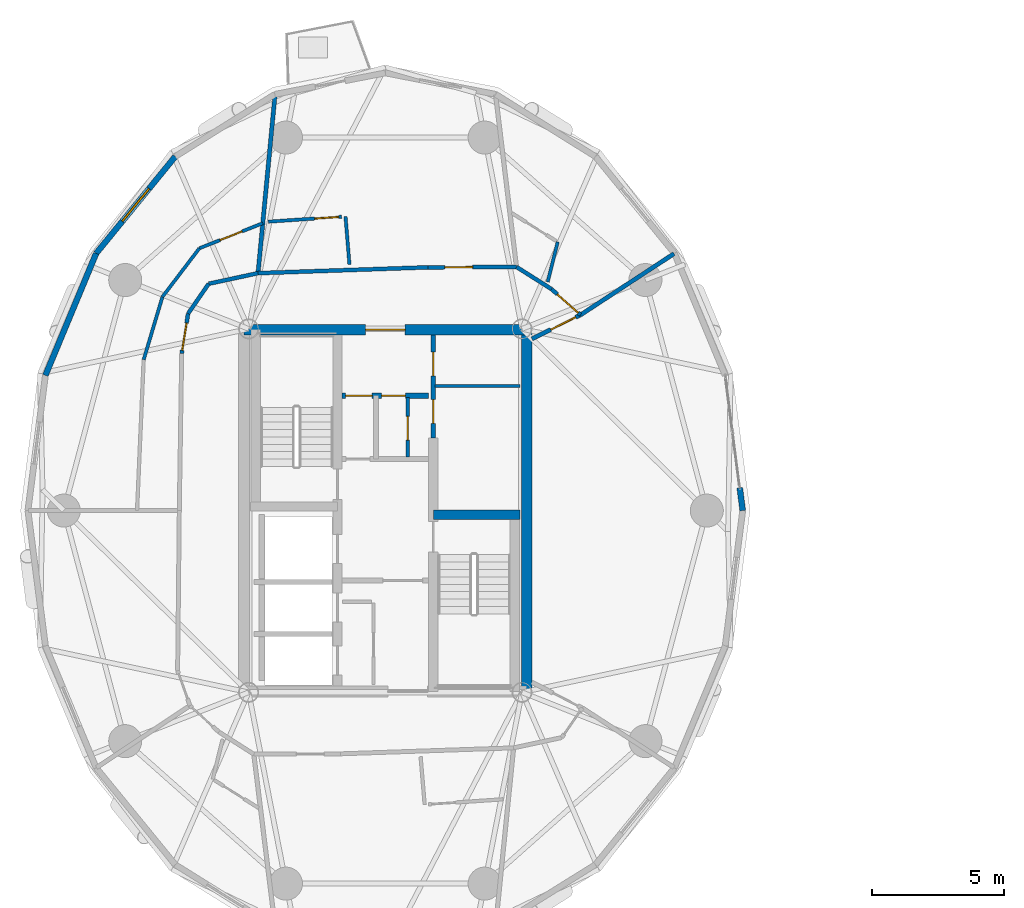
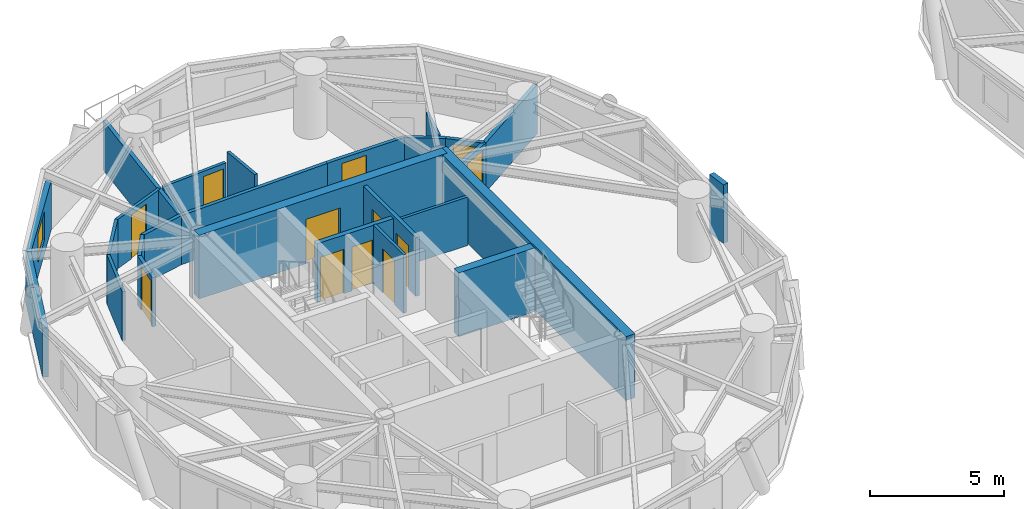
# One storey, part 9 of 16: 26 walls, 12 doors, 1 window, 13 openings.
"""IFC4 building model written with IfcOpenShell, lengths in metres."""

from ifc_helpers import new_model, si_unit, direction, frame, frame_2d, origin, place, context, subcontext, project, spatial, rectangle, extrude, source, transform, mapped, material, layer, layer_set, type_object, element, fill, save


model = new_model("IFC4")

# Units and contexts
model_context = context("Model", 3, precision=1e-05, world=origin(), true_north=direction((0.0, 1.0)))
body_context = subcontext(model_context, "Body", "Model", "MODEL_VIEW")
ifc_project = project(units=[si_unit("LENGTHUNIT", "METRE"), si_unit("AREAUNIT", "SQUARE_METRE"), si_unit("VOLUMEUNIT", "CUBIC_METRE"), si_unit("PLANEANGLEUNIT", "RADIAN"), si_unit("MASSUNIT", "GRAM", prefix="KILO")], contexts=[model_context])

# Site, building, storey
site_placement = place(None, origin())
site = spatial("IfcSite", under=ifc_project, at=site_placement, CompositionType="ELEMENT")
building_placement = place(site_placement, origin())
building = spatial("IfcBuilding", under=site, at=building_placement, Name="Cununo Teusaquillo Station Towers", CompositionType="ELEMENT")
storey_placement = place(building_placement, frame((0.0, 0.0, 180.699951171875)))
storey = spatial("IfcBuildingStorey", under=building, at=storey_placement, Name="L57", CompositionType="ELEMENT", Elevation=180.699951171875)

# Walls
ifc_material_1 = material(Name="Concrete C50/60", Category="concrete")
ifc_layer_1 = layer(ifc_material_1, 0.35009765625)
ifc_layer_set_1 = layer_set([ifc_layer_1], Name="Concrete C50/60")
wall_type_1 = type_object("IfcWallType", Name="WL-CORE-350", PredefinedType="SHEAR", material=ifc_layer_set_1)
wall_1_placement = place(storey_placement, frame((18.31494140625, 24.344970703125, 0.0), z_axis=(0.0, 0.0, 1.0), x_axis=(1.0, 0.0, 0.0)))
element("IfcWall", 1, at=wall_1_placement, inside=storey, type_object=wall_type_1, Name="L57 Tower A Core Shear Wall ST2N", PredefinedType="SHEAR", context=body_context, shape_type="SweptSolid", body=[
    extrude(rectangle(XDim=3.28515625, YDim=0.35009765625, at=frame_2d((1.642578125, 0.0))), origin(), (0.0, 0.0, 1.0), 2.91015625),
])
ifc_material_2 = material(Name="Concrete C50/60", Category="concrete")
ifc_layer_2 = layer(ifc_material_2, 0.39990234375)
ifc_layer_set_2 = layer_set([ifc_layer_2], Name="Concrete C50/60")
wall_type_2 = type_object("IfcWallType", Name="WL-CORE-400", PredefinedType="SHEAR", material=ifc_layer_set_2)
wall_2_placement = place(storey_placement, frame((21.85009765625, 17.449951171875, 0.0), z_axis=(0.0, 0.0, 1.0), x_axis=(0.0, 1.0, 0.0)))
element("IfcWall", 2, at=wall_2_placement, inside=storey, type_object=wall_type_2, Name="L57 Tower A Core Shear Wall E", PredefinedType="SHEAR", context=body_context, shape_type="SweptSolid", body=[
    extrude(rectangle(XDim=14.10009765625, YDim=0.39990234375, at=frame_2d((7.050048828125, 0.0))), origin(), (0.0, 0.0, 1.0), 2.91015625),
])

# Wall, opening, door
wall_3_placement = place(storey_placement, frame((11.14990234375, 31.35009765625, 0.0), z_axis=(0.0, 0.0, 1.0), x_axis=(1.0, 0.0, 0.0)))
wall_3 = element("IfcWall", 3, at=wall_3_placement, inside=storey, type_object=wall_type_2, Name="L57 Tower A Core Shear Wall N", PredefinedType="SHEAR", context=body_context, shape_type="SweptSolid", body=[
    extrude(rectangle(XDim=10.7001953125, YDim=0.39990234375, at=frame_2d((5.35009765625, 0.0))), origin(), (0.0, 0.0, 1.0), 2.91015625),
])
shared_shape_1 = source(origin(), body_context, "Body", "SweptSolid", [
    extrude(rectangle(XDim=1.5, YDim=2.02001953125, at=frame_2d((0.75, 1.010009765625))), frame((0.0, 0.2099609375, 0.0), z_axis=(0.0, -1.0, 0.0), x_axis=(1.0, 0.0, 0.0)), (0.0, 0.0, 1.0), 0.419921875),
])
opening_1_placement = place(wall_3_placement, frame((4.60009765625, 0.0, 0.0)))
opening_1 = element("IfcOpeningElement", 4, at=opening_1_placement, cuts=wall_3, Name="Opening D-LB1", PredefinedType="OPENING", context=body_context, shape_type="MappedRepresentation", body=[
    mapped(shared_shape_1, transform((0.0, 0.0, 0.0), x_axis=(1.0, 0.0, 0.0), y_axis=(0.0, 1.0, 0.0), z_axis=(0.0, 0.0, 1.0), scale=1.0)),
])
ifc_material_3 = material(Name="Galvanised fire-rated hollow steel door assembly", Category="steel")
door_type_1 = type_object("IfcDoorType", Name="DR-LOBBY-1500", OperationType="DOUBLE_DOOR_SINGLE_SWING", PredefinedType="DOOR", material=ifc_material_3)
shared_shape_2 = source(origin(), body_context, "Body", "SweptSolid", [
    extrude(rectangle(XDim=1.5, YDim=2.02001953125, at=frame_2d((0.75, 1.010009765625))), frame((0.0, 0.02490234375, 0.0), z_axis=(0.0, -1.0, 0.0), x_axis=(1.0, 0.0, 0.0)), (0.0, 0.0, 1.0), 0.050048828125),
])
door_1_placement = place(opening_1_placement, origin())
door_1 = element("IfcDoor", 5, at=door_1_placement, inside=storey, type_object=door_type_1, Name="L57 Tower A North Core Lift Lobby Door", OperationType="DOUBLE_DOOR_SINGLE_SWING", OverallHeight=2.02001953125, OverallWidth=1.5, PredefinedType="DOOR", context=body_context, shape_type="MappedRepresentation", body=[
    mapped(shared_shape_2, transform((0.0, 0.0, 0.0), x_axis=(1.0, 0.0, 0.0), y_axis=(0.0, 1.0, 0.0), z_axis=(0.0, 0.0, 1.0), scale=1.0)),
])
fill(opening_1, door_1)

# Wall
ifc_material_4 = material(Name="Precast concrete C40/50", Category="concrete")
ifc_layer_3 = layer(ifc_material_4, 0.219970703125)
ifc_layer_set_3 = layer_set([ifc_layer_3], Name="Precast concrete C40/50")
wall_type_3 = type_object("IfcWallType", Name="WL-EXT-220", PredefinedType="SOLIDWALL", material=ifc_layer_set_3)
wall_4_placement = place(storey_placement, frame((29.91943359375, 25.36279296875, 0.0), z_axis=(0.0, 0.0, 1.0), x_axis=(0.128247365719, -0.991742211054, 0.0)))
element("IfcWall", 6, at=wall_4_placement, inside=storey, type_object=wall_type_3, Name="L57 Tower A Column Pier Cladding Wall C00-PB", PredefinedType="SOLIDWALL", context=body_context, shape_type="SweptSolid", body=[
    extrude(rectangle(XDim=0.869873046875, YDim=0.219970703125, at=frame_2d((0.43505859375, 0.0))), origin(), (0.0, 0.0, 1.0), 2.675048828125),
])

# Wall, opening, window
wall_5_placement = place(storey_placement, frame((5.55322265625, 34.239501953125, 0.0), z_axis=(0.0, 0.0, 1.0), x_axis=(0.632470615287, 0.774584353572, 0.0)))
wall_5 = element("IfcWall", 7, at=wall_5_placement, inside=storey, type_object=wall_type_3, Name="L57 Tower A Exterior Facade Wall C07", PredefinedType="SOLIDWALL", context=body_context, shape_type="SweptSolid", body=[
    extrude(rectangle(XDim=4.73291015625, YDim=0.219970703125, at=frame_2d((2.366455078125, 0.0))), origin(), (0.0, 0.0, 1.0), 2.2451171875),
])
shared_shape_3 = source(origin(), body_context, "Body", "SweptSolid", [
    extrude(rectangle(XDim=1.60009765625, YDim=1.300048828125, at=frame_2d((0.800048828125, 0.64990234375))), frame((0.0, 0.119873046875, 0.0), z_axis=(0.0, -1.0, 0.0), x_axis=(1.0, 0.0, 0.0)), (0.0, 0.0, 1.0), 0.239990234375),
])
opening_2_placement = place(wall_5_placement, frame((1.56591796875, 0.0, 0.64990234375)))
opening_2 = element("IfcOpeningElement", 8, at=opening_2_placement, cuts=wall_5, Name="Opening WN-03", PredefinedType="OPENING", context=body_context, shape_type="MappedRepresentation", body=[
    mapped(shared_shape_3, transform((0.0, 0.0, 0.0), x_axis=(1.0, 0.0, 0.0), y_axis=(0.0, 1.0, 0.0), z_axis=(0.0, 0.0, 1.0), scale=1.0)),
])
ifc_material_5 = material(Name="Ceramic-fritted dark low-E double glazing", Category="glass")
window_type = type_object("IfcWindowType", Name="WIN-CORN-1600", PartitioningType="SINGLE_PANEL", PredefinedType="WINDOW", material=ifc_material_5)
shared_shape_4 = source(origin(), body_context, "Body", "SweptSolid", [
    extrude(rectangle(XDim=1.60009765625, YDim=1.300048828125, at=frame_2d((0.800048828125, 0.64990234375))), frame((0.0, 0.030029296875, 0.0), z_axis=(0.0, -1.0, 0.0), x_axis=(1.0, 0.0, 0.0)), (0.0, 0.0, 1.0), 0.06005859375),
])
window_placement = place(opening_2_placement, origin())
window = element("IfcWindow", 9, at=window_placement, inside=storey, type_object=window_type, Name="L57 Tower A Facade Window C07", OverallHeight=1.300048828125, OverallWidth=1.60009765625, PartitioningType="SINGLE_PANEL", PredefinedType="WINDOW", context=body_context, shape_type="MappedRepresentation", body=[
    mapped(shared_shape_4, transform((0.0, 0.0, 0.0), x_axis=(1.0, 0.0, 0.0), y_axis=(0.0, 1.0, 0.0), z_axis=(0.0, 0.0, 1.0), scale=1.0)),
])
fill(opening_2, window)

# Wall
wall_6_placement = place(storey_placement, frame((3.63134765625, 29.620361328125, 0.0), z_axis=(0.0, 0.0, 1.0), x_axis=(0.384144094086, 0.923273152961, 0.0)))
element("IfcWall", 10, at=wall_6_placement, inside=storey, type_object=wall_type_3, Name="L57 Tower A Exterior Facade Wall C08", PredefinedType="SOLIDWALL", context=body_context, shape_type="SweptSolid", body=[
    extrude(rectangle(XDim=5.0029296875, YDim=0.219970703125, at=frame_2d((2.50146484375, 0.0))), origin(), (0.0, 0.0, 1.0), 2.2451171875),
])

# Wall, opening, door
ifc_material_6 = material(Name="Fire-rated gypsum plasterboard partition assembly", Category="gypsum")
ifc_layer_4 = layer(ifc_material_6, 0.125)
ifc_layer_set_4 = layer_set([ifc_layer_4], Name="Fire-rated gypsum plasterboard partition assembly")
wall_type_4 = type_object("IfcWallType", Name="WL-PART-125", PredefinedType="PARTITIONING", material=ifc_layer_set_4)
wall_7_placement = place(storey_placement, frame((17.35009765625, 26.52001953125, 0.0), z_axis=(0.0, 0.0, 1.0), x_axis=(0.0, 1.0, 0.0)))
wall_7 = element("IfcWall", 11, at=wall_7_placement, inside=storey, type_object=wall_type_4, Name="L57 Tower A Core Vertical Split Wall", PredefinedType="PARTITIONING", context=body_context, shape_type="SweptSolid", body=[
    extrude(rectangle(XDim=2.260009765625, YDim=0.125, at=frame_2d((1.1298828125, 0.0))), origin(), (0.0, 0.0, 1.0), 2.675048828125),
])
shared_shape_5 = source(origin(), body_context, "Body", "SweptSolid", [
    extrude(rectangle(XDim=0.89990234375, YDim=2.0048828125, at=frame_2d((0.449951171875, 1.00244140625))), frame((0.0, 0.072509765625, 0.0), z_axis=(0.0, -1.0, 0.0), x_axis=(1.0, 0.0, 0.0)), (0.0, 0.0, 1.0), 0.14501953125),
])
opening_3_placement = place(wall_7_placement, frame((0.64990234375, 0.0, 0.0)))
opening_3 = element("IfcOpeningElement", 12, at=opening_3_placement, cuts=wall_7, Name="Opening D-SR1", PredefinedType="OPENING", context=body_context, shape_type="MappedRepresentation", body=[
    mapped(shared_shape_5, transform((0.0, 0.0, 0.0), x_axis=(1.0, 0.0, 0.0), y_axis=(0.0, 1.0, 0.0), z_axis=(0.0, 0.0, 1.0), scale=1.0)),
])
ifc_material_7 = material(Name="Galvanised fire-rated hollow steel door assembly", Category="steel")
door_type_2 = type_object("IfcDoorType", Name="DR-STORE-900", OperationType="NOTDEFINED", PredefinedType="DOOR", material=ifc_material_7)
shared_shape_6 = source(origin(), body_context, "Body", "SweptSolid", [
    extrude(rectangle(XDim=0.89990234375, YDim=2.0048828125, at=frame_2d((0.449951171875, 1.00244140625))), frame((0.0, 0.02490234375, 0.0), z_axis=(0.0, -1.0, 0.0), x_axis=(1.0, 0.0, 0.0)), (0.0, 0.0, 1.0), 0.050048828125),
])
door_2_placement = place(opening_3_placement, origin())
door_2 = element("IfcDoor", 13, at=door_2_placement, inside=storey, type_object=door_type_2, Name="L57 Tower A Core Electrical Room Door", OperationType="SINGLE_SWING_RIGHT", OverallHeight=2.0048828125, OverallWidth=0.89990234375, PredefinedType="DOOR", context=body_context, shape_type="MappedRepresentation", body=[
    mapped(shared_shape_6, transform((0.0, 0.0, 0.0), x_axis=(1.0, 0.0, 0.0), y_axis=(0.0, 1.0, 0.0), z_axis=(0.0, 0.0, 1.0), scale=1.0)),
])
fill(opening_3, door_2)

# Walls
wall_8_placement = place(storey_placement, frame((18.3798828125, 29.219970703125, 0.0), z_axis=(0.0, 0.0, 1.0), x_axis=(1.0, 0.0, 0.0)))
element("IfcWall", 14, at=wall_8_placement, inside=storey, type_object=wall_type_4, Name="L57 Tower A Reclaimed Bay Divider Wall", PredefinedType="PARTITIONING", context=body_context, shape_type="SweptSolid", body=[
    extrude(rectangle(XDim=3.22021484375, YDim=0.125, at=frame_2d((1.610107421875, 0.0))), origin(), (0.0, 0.0, 1.0), 2.212158203125),
])
wall_9_placement = place(storey_placement, frame((22.6494140625, 33.1572265625, 0.0), z_axis=(0.0, 0.0, 1.0), x_axis=(0.242461964074, 0.970160912415, 0.0)))
element("IfcWall", 15, at=wall_9_placement, inside=storey, type_object=wall_type_4, Name="L57 Tower A S01 En-suite Side Wall", PredefinedType="PARTITIONING", context=body_context, shape_type="SweptSolid", body=[
    extrude(rectangle(XDim=1.559814453125, YDim=0.125, at=frame_2d((0.77978515625, 0.0))), origin(), (0.0, 0.0, 1.0), 2.2451171875),
])
wall_10_placement = place(storey_placement, frame((15.14208984375, 33.8203125, 0.0), z_axis=(0.0, 0.0, 1.0), x_axis=(-0.081791493646, 0.996649462734, 0.0)))
element("IfcWall", 16, at=wall_10_placement, inside=storey, type_object=wall_type_4, Name="L57 Tower A S02 En-suite Side Wall", PredefinedType="PARTITIONING", context=body_context, shape_type="SweptSolid", body=[
    extrude(rectangle(XDim=1.82080078125, YDim=0.125, at=frame_2d((0.910400390625, 0.0))), origin(), (0.0, 0.0, 1.0), 2.675048828125),
])

# Wall, opening, door
wall_11_placement = place(storey_placement, frame((14.848388671875, 35.625244140625, 0.0), z_axis=(0.0, 0.0, 1.0), x_axis=(-0.997750908336, -0.067030775874, 0.0)))
wall_11 = element("IfcWall", 17, at=wall_11_placement, inside=storey, type_object=wall_type_4, Name="L57 Tower A S02 En-suite Back Wall", PredefinedType="PARTITIONING", context=body_context, shape_type="SweptSolid", body=[
    extrude(rectangle(XDim=2.786376953125, YDim=0.125, at=frame_2d((1.39306640625, 0.0))), origin(), (0.0, 0.0, 1.0), 2.2451171875),
])
opening_4_placement = place(wall_11_placement, frame((0.1201171875, 0.0, 0.0)))
opening_4 = element("IfcOpeningElement", 18, at=opening_4_placement, cuts=wall_11, Name="Opening D-IN1", PredefinedType="OPENING", context=body_context, shape_type="MappedRepresentation", body=[
    mapped(shared_shape_5, transform((0.0, 0.0, 0.0), x_axis=(1.0, 0.0, 0.0), y_axis=(0.0, 1.0, 0.0), z_axis=(0.0, 0.0, 1.0), scale=1.0)),
])
ifc_material_8 = material(Name="Acoustic solid-core hardwood leaf assembly", Category="wood")
door_type_3 = type_object("IfcDoorType", Name="DR-INT-900", OperationType="NOTDEFINED", PredefinedType="DOOR", material=ifc_material_8)
door_3_placement = place(opening_4_placement, origin())
door_3 = element("IfcDoor", 19, at=door_3_placement, inside=storey, type_object=door_type_3, Name="L57 Tower A S02 En-suite Bathroom Door", OperationType="SINGLE_SWING_RIGHT", OverallHeight=2.0048828125, OverallWidth=0.89990234375, PredefinedType="DOOR", context=body_context, shape_type="MappedRepresentation", body=[
    mapped(shared_shape_6, transform((0.0, 0.0, 0.0), x_axis=(1.0, 0.0, 0.0), y_axis=(0.0, 1.0, 0.0), z_axis=(0.0, 0.0, 1.0), scale=1.0)),
])
fill(opening_4, door_3)

wall_12_placement = place(storey_placement, frame((11.861328125, 35.379638671875, 0.0), z_axis=(0.0, 0.0, 1.0), x_axis=(-0.930124609977, -0.367244074037, 0.0)))
wall_12 = element("IfcWall", 20, at=wall_12_placement, inside=storey, type_object=wall_type_4, Name="L57 Tower A Hotel Tea & Cigar Conservatory Concentric Partition Wall C06", PredefinedType="PARTITIONING", context=body_context, shape_type="SweptSolid", body=[
    extrude(rectangle(XDim=2.580810546875, YDim=0.125, at=frame_2d((1.29052734375, 0.0))), origin(), (0.0, 0.0, 1.0), 2.2451171875),
])
opening_5_placement = place(wall_12_placement, frame((0.84033203125, 0.0, 0.0)))
opening_5 = element("IfcOpeningElement", 21, at=opening_5_placement, cuts=wall_12, Name="Opening D-IN1", PredefinedType="OPENING", context=body_context, shape_type="MappedRepresentation", body=[
    mapped(shared_shape_5, transform((0.0, 0.0, 0.0), x_axis=(1.0, 0.0, 0.0), y_axis=(0.0, 1.0, 0.0), z_axis=(0.0, 0.0, 1.0), scale=1.0)),
])
door_4_placement = place(opening_5_placement, origin())
door_4 = element("IfcDoor", 22, at=door_4_placement, inside=storey, type_object=door_type_3, Name="L57 Tower A Hotel Tea & Cigar Conservatory Connecting Door", OperationType="SINGLE_SWING_RIGHT", OverallHeight=2.0048828125, OverallWidth=0.89990234375, PredefinedType="DOOR", context=body_context, shape_type="MappedRepresentation", body=[
    mapped(shared_shape_6, transform((0.0, 0.0, 0.0), x_axis=(1.0, 0.0, 0.0), y_axis=(0.0, 1.0, 0.0), z_axis=(0.0, 0.0, 1.0), scale=1.0)),
])
fill(opening_5, door_4)

# Walls
wall_13_placement = place(storey_placement, frame((9.4609375, 34.431884765625, 0.0), z_axis=(0.0, 0.0, 1.0), x_axis=(-0.605297668278, -0.795999204005, 0.0)))
element("IfcWall", 23, at=wall_13_placement, inside=storey, type_object=wall_type_4, Name="L57 Tower A Hotel Tea & Cigar Conservatory Concentric Partition Wall C07", PredefinedType="PARTITIONING", context=body_context, shape_type="SweptSolid", body=[
    extrude(rectangle(XDim=2.3095703125, YDim=0.125, at=frame_2d((1.15478515625, 0.0))), origin(), (0.0, 0.0, 1.0), 2.2451171875),
])
wall_14_placement = place(storey_placement, frame((8.06298828125, 32.593505859375, 0.0), z_axis=(0.0, 0.0, 1.0), x_axis=(-0.286473203627, -0.958088254601, 0.0)))
element("IfcWall", 24, at=wall_14_placement, inside=storey, type_object=wall_type_4, Name="L57 Tower A Hotel Tea & Cigar Conservatory Concentric Partition Wall C08", PredefinedType="PARTITIONING", context=body_context, shape_type="SweptSolid", body=[
    extrude(rectangle(XDim=2.484130859375, YDim=0.125, at=frame_2d((1.2421875, 0.0))), origin(), (0.0, 0.0, 1.0), 2.2451171875),
])

# Wall, opening, door
ifc_material_9 = material(Name="Fire-rated gypsum plasterboard partition assembly", Category="gypsum")
ifc_layer_5 = layer(ifc_material_9, 0.14990234375)
ifc_layer_set_5 = layer_set([ifc_layer_5], Name="Fire-rated gypsum plasterboard partition assembly")
wall_type_5 = type_object("IfcWallType", Name="WL-PART-150", PredefinedType="PARTITIONING", material=ifc_layer_set_5)
wall_15_placement = place(storey_placement, frame((23.886962890625, 31.90625, 0.0), z_axis=(0.0, 0.0, 1.0), x_axis=(-0.744900957214, 0.66717506244, 0.0)))
wall_15 = element("IfcWall", 25, at=wall_15_placement, inside=storey, type_object=wall_type_5, Name="L57 Tower A Corridor Ring Wall C02", PredefinedType="PARTITIONING", context=body_context, shape_type="SweptSolid", body=[
    extrude(rectangle(XDim=1.463623046875, YDim=0.14990234375, at=frame_2d((0.73193359375, 0.0))), origin(), (0.0, 0.0, 1.0), 2.2451171875),
])
shared_shape_7 = source(origin(), body_context, "Body", "SweptSolid", [
    extrude(rectangle(XDim=1.050048828125, YDim=2.014892578125, at=frame_2d((0.52490234375, 1.00732421875))), frame((0.0, 0.0849609375, 0.0), z_axis=(0.0, -1.0, 0.0), x_axis=(1.0, 0.0, 0.0)), (0.0, 0.0, 1.0), 0.169921875),
])
opening_6_placement = place(wall_15_placement, frame((0.1201171875, 0.0, 0.0)))
opening_6 = element("IfcOpeningElement", 26, at=opening_6_placement, cuts=wall_15, Name="Opening D-SU1", PredefinedType="OPENING", context=body_context, shape_type="MappedRepresentation", body=[
    mapped(shared_shape_7, transform((0.0, 0.0, 0.0), x_axis=(1.0, 0.0, 0.0), y_axis=(0.0, 1.0, 0.0), z_axis=(0.0, 0.0, 1.0), scale=1.0)),
])
ifc_material_10 = material(Name="Acoustic solid-core hardwood leaf assembly", Category="wood")
door_type_4 = type_object("IfcDoorType", Name="DR-SUITE-1050", OperationType="NOTDEFINED", PredefinedType="DOOR", material=ifc_material_10)
shared_shape_8 = source(origin(), body_context, "Body", "SweptSolid", [
    extrude(rectangle(XDim=1.050048828125, YDim=2.014892578125, at=frame_2d((0.52490234375, 1.00732421875))), frame((0.0, 0.02490234375, 0.0), z_axis=(0.0, -1.0, 0.0), x_axis=(1.0, 0.0, 0.0)), (0.0, 0.0, 1.0), 0.050048828125),
])
door_5_placement = place(opening_6_placement, origin())
door_5 = element("IfcDoor", 27, at=door_5_placement, inside=storey, type_object=door_type_4, Name="L57 Tower A Summit Club Hotel Suite Entrance Door", OperationType="SINGLE_SWING_LEFT", OverallHeight=2.014892578125, OverallWidth=1.050048828125, PredefinedType="DOOR", context=body_context, shape_type="MappedRepresentation", body=[
    mapped(shared_shape_8, transform((0.0, 0.0, 0.0), x_axis=(1.0, 0.0, 0.0), y_axis=(0.0, 1.0, 0.0), z_axis=(0.0, 0.0, 1.0), scale=1.0)),
])
fill(opening_6, door_5)

# Wall
wall_16_placement = place(storey_placement, frame((22.796630859375, 32.8828125, 0.0), z_axis=(0.0, 0.0, 1.0), x_axis=(-0.84484009232, 0.535018895375, 0.0)))
element("IfcWall", 28, at=wall_16_placement, inside=storey, type_object=wall_type_5, Name="L57 Tower A Corridor Ring Wall C03", PredefinedType="PARTITIONING", context=body_context, shape_type="SweptSolid", body=[
    extrude(rectangle(XDim=1.5751953125, YDim=0.14990234375, at=frame_2d((0.78759765625, 0.0))), origin(), (0.0, 0.0, 1.0), 2.2451171875),
])

# Wall, opening, door
wall_17_placement = place(storey_placement, frame((21.4658203125, 33.7255859375, 0.0), z_axis=(0.0, 0.0, 1.0), x_axis=(-0.99998838579, -0.004819573058, 0.0)))
wall_17 = element("IfcWall", 29, at=wall_17_placement, inside=storey, type_object=wall_type_5, Name="L57 Tower A Corridor Ring Wall C04", PredefinedType="PARTITIONING", context=body_context, shape_type="SweptSolid", body=[
    extrude(rectangle(XDim=3.34326171875, YDim=0.14990234375, at=frame_2d((1.671630859375, 0.0))), origin(), (0.0, 0.0, 1.0), 2.2451171875),
])
opening_7_placement = place(wall_17_placement, frame((1.659912109375, 0.0, 0.0)))
opening_7 = element("IfcOpeningElement", 30, at=opening_7_placement, cuts=wall_17, Name="Opening D-SU1", PredefinedType="OPENING", context=body_context, shape_type="MappedRepresentation", body=[
    mapped(shared_shape_7, transform((0.0, 0.0, 0.0), x_axis=(1.0, 0.0, 0.0), y_axis=(0.0, 1.0, 0.0), z_axis=(0.0, 0.0, 1.0), scale=1.0)),
])
door_6_placement = place(opening_7_placement, origin())
door_6 = element("IfcDoor", 31, at=door_6_placement, inside=storey, type_object=door_type_4, Name="L57 Tower A Savanna View Hotel Suite Entrance Door", OperationType="SINGLE_SWING_LEFT", OverallHeight=2.014892578125, OverallWidth=1.050048828125, PredefinedType="DOOR", context=body_context, shape_type="MappedRepresentation", body=[
    mapped(shared_shape_8, transform((0.0, 0.0, 0.0), x_axis=(1.0, 0.0, 0.0), y_axis=(0.0, 1.0, 0.0), z_axis=(0.0, 0.0, 1.0), scale=1.0)),
])
fill(opening_7, door_6)

# Walls
wall_18_placement = place(storey_placement, frame((18.12255859375, 33.70947265625, 0.0), z_axis=(0.0, 0.0, 1.0), x_axis=(-0.999417459976, -0.034128297572, 0.0)))
element("IfcWall", 32, at=wall_18_placement, inside=storey, type_object=wall_type_5, Name="L57 Tower A Corridor Ring Wall C05", PredefinedType="PARTITIONING", context=body_context, shape_type="SweptSolid", body=[
    extrude(rectangle(XDim=6.4453125, YDim=0.14990234375, at=frame_2d((3.22265625, 0.0))), origin(), (0.0, 0.0, 1.0), 2.2451171875),
])
wall_19_placement = place(storey_placement, frame((11.680908203125, 33.489501953125, 0.0), z_axis=(0.0, 0.0, 1.0), x_axis=(-0.977628265995, -0.2103401377, 0.0)))
element("IfcWall", 33, at=wall_19_placement, inside=storey, type_object=wall_type_5, Name="L57 Tower A Corridor Ring Wall C06", PredefinedType="PARTITIONING", context=body_context, shape_type="SweptSolid", body=[
    extrude(rectangle(XDim=1.91162109375, YDim=0.14990234375, at=frame_2d((0.955810546875, 0.0))), origin(), (0.0, 0.0, 1.0), 2.2451171875),
])
wall_20_placement = place(storey_placement, frame((9.81201171875, 33.08740234375, 0.0), z_axis=(0.0, 0.0, 1.0), x_axis=(-0.567811958729, -0.823158295545, 0.0)))
element("IfcWall", 34, at=wall_20_placement, inside=storey, type_object=wall_type_5, Name="L57 Tower A Corridor Ring Wall C07", PredefinedType="PARTITIONING", context=body_context, shape_type="SweptSolid", body=[
    extrude(rectangle(XDim=1.3720703125, YDim=0.14990234375, at=frame_2d((0.68603515625, 0.0))), origin(), (0.0, 0.0, 1.0), 2.2451171875),
])

# Wall, opening, door
wall_21_placement = place(storey_placement, frame((9.032958984375, 31.9580078125, 0.0), z_axis=(0.0, 0.0, 1.0), x_axis=(-0.158344987388, -0.98738384885, 0.0)))
wall_21 = element("IfcWall", 35, at=wall_21_placement, inside=storey, type_object=wall_type_5, Name="L57 Tower A Corridor Ring Wall C08", PredefinedType="PARTITIONING", context=body_context, shape_type="SweptSolid", body=[
    extrude(rectangle(XDim=1.531005859375, YDim=0.14990234375, at=frame_2d((0.765625, 0.0))), origin(), (0.0, 0.0, 1.0), 2.2451171875),
])
opening_8_placement = place(wall_21_placement, frame((0.36083984375, 0.0, 0.0)))
opening_8 = element("IfcOpeningElement", 36, at=opening_8_placement, cuts=wall_21, Name="Opening D-SU1", PredefinedType="OPENING", context=body_context, shape_type="MappedRepresentation", body=[
    mapped(shared_shape_7, transform((0.0, 0.0, 0.0), x_axis=(1.0, 0.0, 0.0), y_axis=(0.0, 1.0, 0.0), z_axis=(0.0, 0.0, 1.0), scale=1.0)),
])
door_7_placement = place(opening_8_placement, origin())
door_7 = element("IfcDoor", 37, at=door_7_placement, inside=storey, type_object=door_type_4, Name="L57 Tower A Hotel Tea & Cigar Conservatory Entrance Door", OperationType="SINGLE_SWING_LEFT", OverallHeight=2.014892578125, OverallWidth=1.050048828125, PredefinedType="DOOR", context=body_context, shape_type="MappedRepresentation", body=[
    mapped(shared_shape_8, transform((0.0, 0.0, 0.0), x_axis=(1.0, 0.0, 0.0), y_axis=(0.0, 1.0, 0.0), z_axis=(0.0, 0.0, 1.0), scale=1.0)),
])
fill(opening_8, door_7)

# Wall, openings, doors
ifc_material_11 = material(Name="Fire-rated gypsum plasterboard partition assembly", Category="gypsum")
ifc_layer_6 = layer(ifc_material_11, 0.159912109375)
ifc_layer_set_6 = layer_set([ifc_layer_6], Name="Fire-rated gypsum plasterboard partition assembly")
wall_type_6 = type_object("IfcWallType", Name="WL-PART-160", PredefinedType="PARTITIONING", material=ifc_layer_set_6)
wall_22_placement = place(storey_placement, frame((18.31494140625, 27.25, 0.0), z_axis=(0.0, 0.0, 1.0), x_axis=(0.0, 1.0, 0.0)))
wall_22 = element("IfcWall", 38, at=wall_22_placement, inside=storey, type_object=wall_type_6, Name="L57 Tower A Reclaimed Core Bay Entry Wall", PredefinedType="PARTITIONING", context=body_context, shape_type="SweptSolid", body=[
    extrude(rectangle(XDim=3.89990234375, YDim=0.159912109375, at=frame_2d((1.949951171875, 0.0))), origin(), (0.0, 0.0, 1.0), 2.675048828125),
])
shared_shape_9 = source(origin(), body_context, "Body", "SweptSolid", [
    extrude(rectangle(XDim=0.89990234375, YDim=2.0048828125, at=frame_2d((0.449951171875, 1.00244140625))), frame((0.0, 0.08984375, 0.0), z_axis=(0.0, -1.0, 0.0), x_axis=(1.0, 0.0, 0.0)), (0.0, 0.0, 1.0), 0.179931640625),
])
opening_9_placement = place(wall_22_placement, frame((0.550048828125, 0.0, 0.0)))
opening_9 = element("IfcOpeningElement", 39, at=opening_9_placement, cuts=wall_22, Name="Opening D-IN1", PredefinedType="OPENING", context=body_context, shape_type="MappedRepresentation", body=[
    mapped(shared_shape_9, transform((0.0, 0.0, 0.0), x_axis=(1.0, 0.0, 0.0), y_axis=(0.0, 1.0, 0.0), z_axis=(0.0, 0.0, 1.0), scale=1.0)),
])
opening_10_placement = place(wall_22_placement, frame((2.35009765625, 0.0, 0.0)))
opening_10 = element("IfcOpeningElement", 40, at=opening_10_placement, cuts=wall_22, Name="Opening D-IN1", PredefinedType="OPENING", context=body_context, shape_type="MappedRepresentation", body=[
    mapped(shared_shape_9, transform((0.0, 0.0, 0.0), x_axis=(1.0, 0.0, 0.0), y_axis=(0.0, 1.0, 0.0), z_axis=(0.0, 0.0, 1.0), scale=1.0)),
])
door_8_placement = place(opening_9_placement, origin())
door_8 = element("IfcDoor", 41, at=door_8_placement, inside=storey, type_object=door_type_3, Name="L57 Tower A Reclaimed Core Study Door", OperationType="SINGLE_SWING_LEFT", OverallHeight=2.0048828125, OverallWidth=0.89990234375, PredefinedType="DOOR", context=body_context, shape_type="MappedRepresentation", body=[
    mapped(shared_shape_6, transform((0.0, 0.0, 0.0), x_axis=(1.0, 0.0, 0.0), y_axis=(0.0, 1.0, 0.0), z_axis=(0.0, 0.0, 1.0), scale=1.0)),
])
fill(opening_9, door_8)
door_9_placement = place(opening_10_placement, origin())
door_9 = element("IfcDoor", 42, at=door_9_placement, inside=storey, type_object=door_type_3, Name="L57 Tower A Reclaimed Core Pantry Door", OperationType="SINGLE_SWING_RIGHT", OverallHeight=2.0048828125, OverallWidth=0.89990234375, PredefinedType="DOOR", context=body_context, shape_type="MappedRepresentation", body=[
    mapped(shared_shape_6, transform((0.0, 0.0, 0.0), x_axis=(1.0, 0.0, 0.0), y_axis=(0.0, 1.0, 0.0), z_axis=(0.0, 0.0, 1.0), scale=1.0)),
])
fill(opening_10, door_9)

# Walls
wall_23_placement = place(storey_placement, frame((23.886962890625, 31.90625, 0.0), z_axis=(0.0, 0.0, 1.0), x_axis=(0.836482991446, 0.547992887748, 0.0)))
element("IfcWall", 43, at=wall_23_placement, inside=storey, type_object=wall_type_6, Name="L57 Tower A Radial Suite Partition R01", PredefinedType="PARTITIONING", context=body_context, shape_type="SweptSolid", body=[
    extrude(rectangle(XDim=4.236328125, YDim=0.159912109375, at=frame_2d((2.1181640625, 0.0))), origin(), (0.0, 0.0, 1.0), 2.2451171875),
])
wall_24_placement = place(storey_placement, frame((11.680908203125, 33.489501953125, 0.0), z_axis=(0.0, 0.0, 1.0), x_axis=(0.094975594504, 0.995479601222, 0.0)))
element("IfcWall", 44, at=wall_24_placement, inside=storey, type_object=wall_type_6, Name="L57 Tower A Radial Suite Partition R03", PredefinedType="PARTITIONING", context=body_context, shape_type="SweptSolid", body=[
    extrude(rectangle(XDim=6.78125, YDim=0.159912109375, at=frame_2d((3.390625, 0.0))), origin(), (0.0, 0.0, 1.0), 2.2451171875),
])

# Wall, opening, door
wall_25_placement = place(storey_placement, frame((22.050048828125, 31.0, 0.0), z_axis=(0.0, 0.0, 1.0), x_axis=(0.896798317999, 0.442439574218, 0.0)))
wall_25 = element("IfcWall", 45, at=wall_25_placement, inside=storey, type_object=wall_type_6, Name="L57 Tower A East Salon Corridor Portal Wall NE", PredefinedType="PARTITIONING", context=body_context, shape_type="SweptSolid", body=[
    extrude(rectangle(XDim=2.04833984375, YDim=0.159912109375, at=frame_2d((1.024169921875, 0.0))), origin(), (0.0, 0.0, 1.0), 2.2451171875),
])
shared_shape_10 = source(origin(), body_context, "Body", "SweptSolid", [
    extrude(rectangle(XDim=1.050048828125, YDim=2.014892578125, at=frame_2d((0.52490234375, 1.00732421875))), frame((0.0, 0.08984375, 0.0), z_axis=(0.0, -1.0, 0.0), x_axis=(1.0, 0.0, 0.0)), (0.0, 0.0, 1.0), 0.179931640625),
])
opening_11_placement = place(wall_25_placement, frame((0.79833984375, 0.0, 0.0)))
opening_11 = element("IfcOpeningElement", 46, at=opening_11_placement, cuts=wall_25, Name="Opening D-SU1", PredefinedType="OPENING", context=body_context, shape_type="MappedRepresentation", body=[
    mapped(shared_shape_10, transform((0.0, 0.0, 0.0), x_axis=(1.0, 0.0, 0.0), y_axis=(0.0, 1.0, 0.0), z_axis=(0.0, 0.0, 1.0), scale=1.0)),
])
door_10_placement = place(opening_11_placement, origin())
door_10 = element("IfcDoor", 47, at=door_10_placement, inside=storey, type_object=door_type_4, Name="L57 Tower A East Panorama Sky Salon Door NE", OperationType="SINGLE_SWING_LEFT", OverallHeight=2.014892578125, OverallWidth=1.050048828125, PredefinedType="DOOR", context=body_context, shape_type="MappedRepresentation", body=[
    mapped(shared_shape_8, transform((0.0, 0.0, 0.0), x_axis=(1.0, 0.0, 0.0), y_axis=(0.0, 1.0, 0.0), z_axis=(0.0, 0.0, 1.0), scale=1.0)),
])
fill(opening_11, door_10)

# Wall, openings, doors
ifc_material_12 = material(Name="Fire-rated gypsum plasterboard partition assembly", Category="gypsum")
ifc_layer_7 = layer(ifc_material_12, 0.199951171875)
ifc_layer_set_7 = layer_set([ifc_layer_7], Name="Fire-rated gypsum plasterboard partition assembly")
wall_type_7 = type_object("IfcWallType", Name="WL-PART-200", PredefinedType="PARTITIONING", material=ifc_layer_set_7)
wall_26_placement = place(storey_placement, frame((14.860107421875, 28.85009765625, 0.0), z_axis=(0.0, 0.0, 1.0), x_axis=(1.0, 0.0, 0.0)))
wall_26 = element("IfcWall", 48, at=wall_26_placement, inside=storey, type_object=wall_type_7, Name="L57 Tower A North Lift Lobby South Fire Wall", PredefinedType="PARTITIONING", context=body_context, shape_type="SweptSolid", body=[
    extrude(rectangle(XDim=3.27978515625, YDim=0.199951171875, at=frame_2d((1.639892578125, 0.0))), origin(), (0.0, 0.0, 1.0), 2.675048828125),
])
shared_shape_11 = source(origin(), body_context, "Body", "SweptSolid", [
    extrude(rectangle(XDim=1.0, YDim=2.014892578125, at=frame_2d((0.5, 1.00732421875))), frame((0.0, 0.10986328125, 0.0), z_axis=(0.0, -1.0, 0.0), x_axis=(1.0, 0.0, 0.0)), (0.0, 0.0, 1.0), 0.219970703125),
])
opening_12_placement = place(wall_26_placement, frame((0.139892578125, 0.0, 0.0)))
opening_12 = element("IfcOpeningElement", 49, at=opening_12_placement, cuts=wall_26, Name="Opening D-AC1", PredefinedType="OPENING", context=body_context, shape_type="MappedRepresentation", body=[
    mapped(shared_shape_11, transform((0.0, 0.0, 0.0), x_axis=(1.0, 0.0, 0.0), y_axis=(0.0, 1.0, 0.0), z_axis=(0.0, 0.0, 1.0), scale=1.0)),
])
shared_shape_12 = source(origin(), body_context, "Body", "SweptSolid", [
    extrude(rectangle(XDim=0.89990234375, YDim=2.0048828125, at=frame_2d((0.449951171875, 1.00244140625))), frame((0.0, 0.10986328125, 0.0), z_axis=(0.0, -1.0, 0.0), x_axis=(1.0, 0.0, 0.0)), (0.0, 0.0, 1.0), 0.219970703125),
])
opening_13_placement = place(wall_26_placement, frame((1.5, 0.0, 0.0)))
opening_13 = element("IfcOpeningElement", 50, at=opening_13_placement, cuts=wall_26, Name="Opening D-SR1", PredefinedType="OPENING", context=body_context, shape_type="MappedRepresentation", body=[
    mapped(shared_shape_12, transform((0.0, 0.0, 0.0), x_axis=(1.0, 0.0, 0.0), y_axis=(0.0, 1.0, 0.0), z_axis=(0.0, 0.0, 1.0), scale=1.0)),
])
door_11_placement = place(opening_13_placement, origin())
door_11 = element("IfcDoor", 51, at=door_11_placement, inside=storey, type_object=door_type_2, Name="L57 Tower A Core Housekeeping Store Door", OperationType="SINGLE_SWING_LEFT", OverallHeight=2.0048828125, OverallWidth=0.89990234375, PredefinedType="DOOR", context=body_context, shape_type="MappedRepresentation", body=[
    mapped(shared_shape_6, transform((0.0, 0.0, 0.0), x_axis=(1.0, 0.0, 0.0), y_axis=(0.0, 1.0, 0.0), z_axis=(0.0, 0.0, 1.0), scale=1.0)),
])
fill(opening_13, door_11)
ifc_material_13 = material(Name="Acoustic solid-core hardwood leaf assembly", Category="wood")
door_type_5 = type_object("IfcDoorType", Name="DR-ACC-1000", OperationType="NOTDEFINED", PredefinedType="DOOR", material=ifc_material_13)
shared_shape_13 = source(origin(), body_context, "Body", "SweptSolid", [
    extrude(rectangle(XDim=1.0, YDim=2.014892578125, at=frame_2d((0.5, 1.00732421875))), frame((0.0, 0.02490234375, 0.0), z_axis=(0.0, -1.0, 0.0), x_axis=(1.0, 0.0, 0.0)), (0.0, 0.0, 1.0), 0.050048828125),
])
door_12_placement = place(opening_12_placement, origin())
door_12 = element("IfcDoor", 52, at=door_12_placement, inside=storey, type_object=door_type_5, Name="L57 Tower A North Lift Lobby to Stair 1 Vestibule Door", OperationType="SINGLE_SWING_LEFT", OverallHeight=2.014892578125, OverallWidth=1.0, PredefinedType="DOOR", context=body_context, shape_type="MappedRepresentation", body=[
    mapped(shared_shape_13, transform((0.0, 0.0, 0.0), x_axis=(1.0, 0.0, 0.0), y_axis=(0.0, 1.0, 0.0), z_axis=(0.0, 0.0, 1.0), scale=1.0)),
])
fill(opening_12, door_12)

save(model, "model.ifc")
